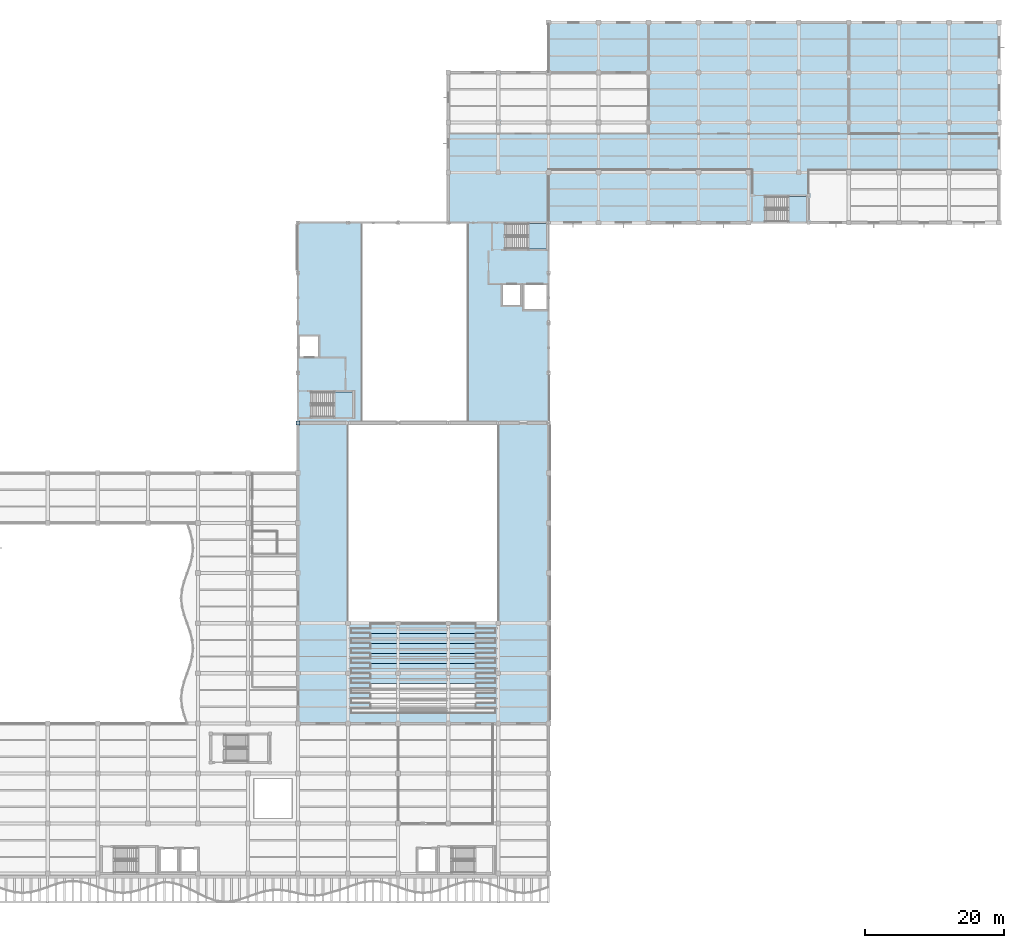
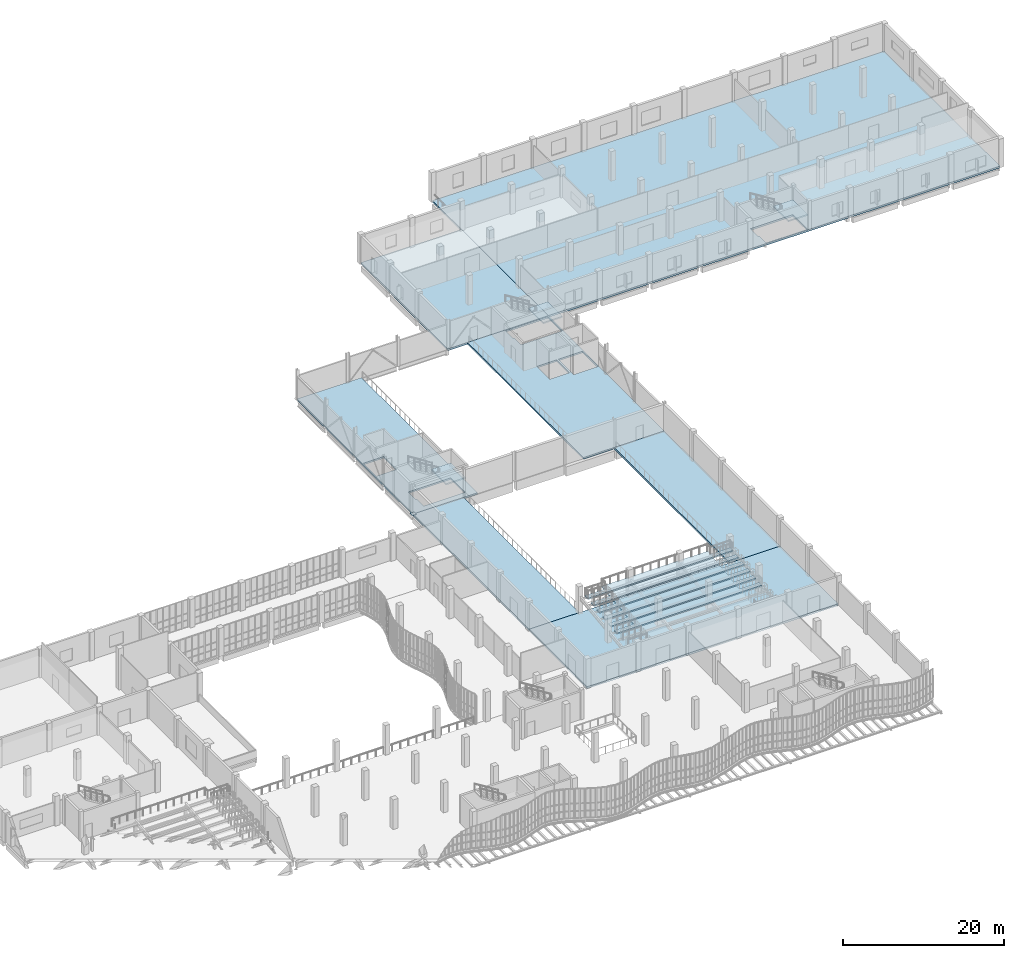
# One storey, part 85 of 108: 16 slabs, 1 plate, 3 elements without a shape of their own.
"""IFC4 building model written with IfcOpenShell, lengths in metres."""

from ifc_helpers import new_model, si_unit, direction, frame, origin, origin_2d, place, context, subcontext, project, spatial, polyline, rectangle, outline, extrude, material, layer, layer_set, type_object, element, aggregate, save


model = new_model("IFC4")

# Units and contexts
model_context = context("Model", 3, precision=1e-05, world=origin(), true_north=direction((0.0, 1.0)))
body_context = subcontext(model_context, "Body", "Model", "MODEL_VIEW")
ifc_project = project(units=[si_unit("LENGTHUNIT", "METRE"), si_unit("AREAUNIT", "SQUARE_METRE"), si_unit("VOLUMEUNIT", "CUBIC_METRE"), si_unit("PLANEANGLEUNIT", "RADIAN"), si_unit("MASSUNIT", "GRAM", prefix="KILO"), si_unit("THERMODYNAMICTEMPERATUREUNIT", "KELVIN"), si_unit("POWERUNIT", "WATT")], contexts=[model_context])

# Site, building, storey
site_placement = place(None, origin())
site = spatial("IfcSite", under=ifc_project, at=site_placement, CompositionType="ELEMENT")
building_placement = place(site_placement, origin())
building = spatial("IfcBuilding", under=site, at=building_placement, Name="Kaldorven Railside Theatre", CompositionType="ELEMENT")
storey_placement = place(building_placement, frame((0.0, 0.0, 5.39990234375)))
storey = spatial("IfcBuildingStorey", under=building, at=storey_placement, Name="L01", CompositionType="ELEMENT", Elevation=5.39990234375)

# Plate
ifc_material_1 = material(Name="Steel S355", Category="steel")
ifc_layer_1 = layer(ifc_material_1, 0.044921875, Name="Steel S355")
ifc_layer_set_1 = layer_set([ifc_layer_1], Name="Steel S355")
plate_type = type_object("IfcPlateType", Name="PLT-BAS-45", PredefinedType="SHEET", material=ifc_layer_set_1)
plate_placement = place(storey_placement, frame((87.199951171875, 84.0, 0.000244140625), z_axis=(0.0, 0.0, 1.0), x_axis=(1.0, 0.0, 0.0)))
element("IfcPlate", 1, at=plate_placement, inside=storey, type_object=plate_type, Name="Fly-Tower Stanchion Baseplate BPL-01", PredefinedType="SHEET", context=body_context, shape_type="SweptSolid", body=[
    extrude(rectangle(XDim=0.550048828125, YDim=0.550048828125, at=origin_2d()), origin(), (0.0, 0.0, 1.0), 0.044921875),
])

# Slabs
ifc_material_2 = material(Name="Concrete C35/45", Category="concrete")
ifc_layer_2 = layer(ifc_material_2, 0.25, Name="Concrete C35/45")
ifc_layer_set_2 = layer_set([ifc_layer_2], Name="Concrete C35/45")
slab_type_1 = type_object("IfcSlabType", Name="SLB-FSL-250", PredefinedType="FLOOR", material=ifc_layer_set_2)
slab_1_placement = place(storey_placement, frame((0.0, 0.0, -0.25)))
element("IfcSlab", 2, at=slab_1_placement, inside=storey, type_object=slab_type_1, Name="L01 Floor Slab SL-L01-V2W", PredefinedType="FLOOR", context=body_context, shape_type="SweptSolid", body=[
    extrude(outline(polyline([(87.199951171875, 84.0), (96.39990234375, 84.0), (96.39990234375, 112.800048828125), (87.199951171875, 112.800048828125), (87.199951171875, 84.0)]), holes=[polyline([(89.050048828125, 88.449951171875), (95.14990234375, 88.449951171875), (95.14990234375, 84.85009765625), (89.199951171875, 84.85009765625), (89.199951171875, 86.570068359375), (89.050048828125, 86.570068359375), (89.050048828125, 88.449951171875)]), polyline([(90.25, 93.39990234375), (90.25, 96.60009765625), (87.35009765625, 96.60009765625), (87.35009765625, 93.39990234375), (90.25, 93.39990234375)])]), origin(), (0.0, 0.0, 1.0), 0.25),
])
slab_2_placement = place(storey_placement, frame((0.0, 0.0, -0.25)))
element("IfcSlab", 3, at=slab_2_placement, inside=storey, type_object=slab_type_1, Name="L01 Floor Slab SL-L01-V2E", PredefinedType="FLOOR", context=body_context, shape_type="SweptSolid", body=[
    extrude(outline(polyline([(111.60009765625, 84.0), (123.199951171875, 84.0), (123.199951171875, 112.800048828125), (111.60009765625, 112.800048828125), (111.60009765625, 84.0)]), holes=[polyline([(116.949951171875, 112.64990234375), (123.050048828125, 112.64990234375), (123.050048828125, 109.050048828125), (117.10009765625, 109.050048828125), (117.10009765625, 110.77001953125), (116.949951171875, 110.77001953125), (116.949951171875, 112.64990234375)]), polyline([(119.300048828125, 100.800048828125), (119.300048828125, 104.0), (116.5, 104.0), (116.5, 100.800048828125), (119.300048828125, 100.800048828125)]), polyline([(123.050048828125, 100.199951171875), (123.050048828125, 104.0), (119.580078125, 104.0), (119.580078125, 100.199951171875), (123.050048828125, 100.199951171875)])]), origin(), (0.0, 0.0, 1.0), 0.25),
])
ifc_layer_3 = layer(ifc_material_2, 0.280029296875, Name="Concrete C35/45")
ifc_layer_set_3 = layer_set([ifc_layer_3], Name="Concrete C35/45")
slab_type_2 = type_object("IfcSlabType", Name="SLB-FSL-280", PredefinedType="FLOOR", material=ifc_layer_set_3)
slab_3_placement = place(storey_placement, frame((0.0, 0.0, -0.27978515625)))
element("IfcSlab", 4, at=slab_3_placement, inside=storey, type_object=slab_type_2, Name="L01 Floor Slab SL-L01-V6", PredefinedType="FLOOR", context=body_context, shape_type="SweptSolid", body=[
    extrude(outline(polyline([(123.199951171875, 112.800048828125), (188.0, 112.800048828125), (188.0, 141.60009765625), (123.199951171875, 141.60009765625), (123.199951171875, 112.800048828125)]), holes=[polyline([(154.35009765625, 116.550048828125), (160.449951171875, 116.550048828125), (160.449951171875, 112.949951171875), (154.5, 112.949951171875), (154.5, 114.669921875), (154.35009765625, 114.669921875), (154.35009765625, 116.550048828125)])]), origin(), (0.0, 0.0, 1.0), 0.27978515625),
])
slab_4_placement = place(storey_placement, frame((0.0, 0.0, -0.27978515625)))
element("IfcSlab", 5, at=slab_4_placement, inside=storey, type_object=slab_type_2, Name="L01 Floor Slab SL-L01-V6L", PredefinedType="FLOOR", context=body_context, shape_type="SweptSolid", body=[
    extrude(outline(polyline([(108.800048828125, 112.800048828125), (123.199951171875, 112.800048828125), (123.199951171875, 134.39990234375), (108.800048828125, 134.39990234375), (108.800048828125, 112.800048828125)])), origin(), (0.0, 0.0, 1.0), 0.27978515625),
])
ifc_layer_4 = layer(ifc_material_2, 0.300048828125, Name="Concrete C35/45")
ifc_layer_set_4 = layer_set([ifc_layer_4], Name="Concrete C35/45")
slab_type_3 = type_object("IfcSlabType", Name="SLB-FSL-300", PredefinedType="FLOOR", material=ifc_layer_set_4)
slab_5_placement = place(storey_placement, frame((0.0, 0.0, -0.2998046875)))
element("IfcSlab", 6, at=slab_5_placement, inside=storey, type_object=slab_type_3, Name="L01 Floor Slab SL-L01-V1", PredefinedType="FLOOR", context=body_context, shape_type="SweptSolid", body=[
    extrude(outline(polyline([(87.199951171875, 40.800048828125), (123.199951171875, 40.800048828125), (123.199951171875, 55.199951171875), (87.199951171875, 55.199951171875), (87.199951171875, 40.800048828125)])), origin(), (0.0, 0.0, 1.0), 0.2998046875),
])
slab_6_placement = place(storey_placement, frame((0.0, 0.0, -0.2998046875)))
element("IfcSlab", 7, at=slab_6_placement, inside=storey, type_object=slab_type_3, Name="L01 Floor Slab SL-L01-V1W", PredefinedType="FLOOR", context=body_context, shape_type="SweptSolid", body=[
    extrude(outline(polyline([(87.199951171875, 55.199951171875), (94.39990234375, 55.199951171875), (94.39990234375, 84.0), (87.199951171875, 84.0), (87.199951171875, 55.199951171875)])), origin(), (0.0, 0.0, 1.0), 0.2998046875),
])
slab_7_placement = place(storey_placement, frame((0.0, 0.0, -0.2998046875)))
element("IfcSlab", 8, at=slab_7_placement, inside=storey, type_object=slab_type_3, Name="L01 Floor Slab SL-L01-V1E", PredefinedType="FLOOR", context=body_context, shape_type="SweptSolid", body=[
    extrude(outline(polyline([(116.0, 55.199951171875), (123.199951171875, 55.199951171875), (123.199951171875, 84.0), (116.0, 84.0), (116.0, 55.199951171875)])), origin(), (0.0, 0.0, 1.0), 0.2998046875),
])

# Stair, slab
stair_type = type_object("IfcStairType", Name="STR-DL-03", PredefinedType="HALF_TURN_STAIR", material=ifc_material_2)
stair_1_placement = place(storey_placement, origin())
stair_1 = element("IfcStair", 9, at=stair_1_placement, inside=storey, type_object=stair_type, Name="L01 Core C-STW Escape Stair ST-05", PredefinedType="HALF_TURN_STAIR")
ifc_layer_5 = layer(ifc_material_2, 0.199951171875, Name="Concrete C35/45")
ifc_layer_set_5 = layer_set([ifc_layer_5], Name="Concrete C35/45")
slab_type_4 = type_object("IfcSlabType", Name="SLB-LSL-200", PredefinedType="LANDING", material=ifc_layer_set_5)
slab_8_placement = place(storey_placement, frame((0.0, 0.0, 2.050048828125)))
slab_8 = element("IfcSlab", 10, at=slab_8_placement, type_object=slab_type_4, Name="ST-05 landing 1", PredefinedType="LANDING", context=body_context, shape_type="SweptSolid", body=[
    extrude(outline(polyline([(92.385009765625, 84.820068359375), (95.179931640625, 84.820068359375), (95.179931640625, 88.47998046875), (92.385009765625, 88.47998046875), (92.385009765625, 84.820068359375)])), origin(), (0.0, 0.0, 1.0), 0.199951171875),
])
aggregate(stair_1, [slab_8])

stair_2_placement = place(storey_placement, origin())
stair_2 = element("IfcStair", 11, at=stair_2_placement, inside=storey, type_object=stair_type, Name="L01 Core C-STE Escape Stair ST-06", PredefinedType="HALF_TURN_STAIR")
slab_9_placement = place(storey_placement, frame((0.0, 0.0, 2.050048828125)))
slab_9 = element("IfcSlab", 12, at=slab_9_placement, type_object=slab_type_4, Name="ST-06 landing 1", PredefinedType="LANDING", context=body_context, shape_type="SweptSolid", body=[
    extrude(outline(polyline([(120.284912109375, 109.02001953125), (123.080078125, 109.02001953125), (123.080078125, 112.679931640625), (120.284912109375, 112.679931640625), (120.284912109375, 109.02001953125)])), origin(), (0.0, 0.0, 1.0), 0.199951171875),
])
aggregate(stair_2, [slab_9])

stair_3_placement = place(storey_placement, origin())
stair_3 = element("IfcStair", 13, at=stair_3_placement, inside=storey, type_object=stair_type, Name="L01 East Backstage Escape Stair", PredefinedType="HALF_TURN_STAIR")
slab_10_placement = place(storey_placement, frame((0.0, 0.0, 2.050048828125)))
slab_10 = element("IfcSlab", 14, at=slab_10_placement, type_object=slab_type_4, Name="ST-08 landing 1", PredefinedType="LANDING", context=body_context, shape_type="SweptSolid", body=[
    extrude(outline(polyline([(157.68505859375, 112.919921875), (160.47998046875, 112.919921875), (160.47998046875, 116.580078125), (157.68505859375, 116.580078125), (157.68505859375, 112.919921875)])), origin(), (0.0, 0.0, 1.0), 0.199951171875),
])
aggregate(stair_3, [slab_10])

# Slabs
ifc_layer_6 = layer(ifc_material_2, 0.199951171875, Name="Concrete C35/45")
ifc_layer_set_6 = layer_set([ifc_layer_6], Name="Concrete C35/45")
slab_type_5 = type_object("IfcSlabType", Name="SLB-TIER-200", PredefinedType="USERDEFINED", material=ifc_layer_set_6)
slab_11_placement = place(storey_placement, frame((0.0, 0.0, 1.77001953125)))
element("IfcSlab", 15, at=slab_11_placement, inside=storey, type_object=slab_type_5, Name="V1D Seating Tier 05", ObjectType="SEATING TIER", PredefinedType="USERDEFINED", context=body_context, shape_type="SweptSolid", body=[
    extrude(outline(polyline([(94.800048828125, 46.56005859375), (115.60009765625, 46.56005859375), (115.60009765625, 47.280029296875), (112.800048828125, 47.280029296875), (112.800048828125, 48.0), (97.60009765625, 48.0), (97.60009765625, 47.280029296875), (94.800048828125, 47.280029296875), (94.800048828125, 46.56005859375)])), origin(), (0.0, 0.0, 1.0), 0.2001953125),
])
slab_12_placement = place(storey_placement, frame((0.0, 0.0, 1.9501953125)))
element("IfcSlab", 16, at=slab_12_placement, inside=storey, type_object=slab_type_5, Name="V1D Seating Tier 06", ObjectType="SEATING TIER", PredefinedType="USERDEFINED", context=body_context, shape_type="SweptSolid", body=[
    extrude(outline(polyline([(94.800048828125, 48.0), (115.60009765625, 48.0), (115.60009765625, 48.719970703125), (112.800048828125, 48.719970703125), (112.800048828125, 49.43994140625), (97.60009765625, 49.43994140625), (97.60009765625, 48.719970703125), (94.800048828125, 48.719970703125), (94.800048828125, 48.0)])), origin(), (0.0, 0.0, 1.0), 0.199951171875),
])
slab_13_placement = place(storey_placement, frame((0.0, 0.0, 2.130126953125)))
element("IfcSlab", 17, at=slab_13_placement, inside=storey, type_object=slab_type_5, Name="V1D Seating Tier 07", ObjectType="SEATING TIER", PredefinedType="USERDEFINED", context=body_context, shape_type="SweptSolid", body=[
    extrude(outline(polyline([(94.800048828125, 49.43994140625), (115.60009765625, 49.43994140625), (115.60009765625, 50.159912109375), (112.800048828125, 50.159912109375), (112.800048828125, 50.8798828125), (97.60009765625, 50.8798828125), (97.60009765625, 50.159912109375), (94.800048828125, 50.159912109375), (94.800048828125, 49.43994140625)])), origin(), (0.0, 0.0, 1.0), 0.199951171875),
])
slab_14_placement = place(storey_placement, frame((0.0, 0.0, 2.31005859375)))
element("IfcSlab", 18, at=slab_14_placement, inside=storey, type_object=slab_type_5, Name="V1D Seating Tier 08", ObjectType="SEATING TIER", PredefinedType="USERDEFINED", context=body_context, shape_type="SweptSolid", body=[
    extrude(outline(polyline([(94.800048828125, 50.8798828125), (115.60009765625, 50.8798828125), (115.60009765625, 51.60009765625), (112.800048828125, 51.60009765625), (112.800048828125, 52.320068359375), (97.60009765625, 52.320068359375), (97.60009765625, 51.60009765625), (94.800048828125, 51.60009765625), (94.800048828125, 50.8798828125)])), origin(), (0.0, 0.0, 1.0), 0.199951171875),
])
slab_15_placement = place(storey_placement, frame((0.0, 0.0, 2.489990234375)))
element("IfcSlab", 19, at=slab_15_placement, inside=storey, type_object=slab_type_5, Name="V1D Seating Tier 09", ObjectType="SEATING TIER", PredefinedType="USERDEFINED", context=body_context, shape_type="SweptSolid", body=[
    extrude(outline(polyline([(94.800048828125, 52.320068359375), (115.60009765625, 52.320068359375), (115.60009765625, 53.0400390625), (112.800048828125, 53.0400390625), (112.800048828125, 53.760009765625), (97.60009765625, 53.760009765625), (97.60009765625, 53.0400390625), (94.800048828125, 53.0400390625), (94.800048828125, 52.320068359375)])), origin(), (0.0, 0.0, 1.0), 0.2001953125),
])
slab_16_placement = place(storey_placement, frame((0.0, 0.0, 2.670166015625)))
element("IfcSlab", 20, at=slab_16_placement, inside=storey, type_object=slab_type_5, Name="V1D Seating Tier 10", ObjectType="SEATING TIER", PredefinedType="USERDEFINED", context=body_context, shape_type="SweptSolid", body=[
    extrude(outline(polyline([(94.800048828125, 53.760009765625), (115.60009765625, 53.760009765625), (115.60009765625, 54.47998046875), (112.800048828125, 54.47998046875), (112.800048828125, 55.199951171875), (97.60009765625, 55.199951171875), (97.60009765625, 54.47998046875), (94.800048828125, 54.47998046875), (94.800048828125, 53.760009765625)])), origin(), (0.0, 0.0, 1.0), 0.199951171875),
])

save(model, "model.ifc")
